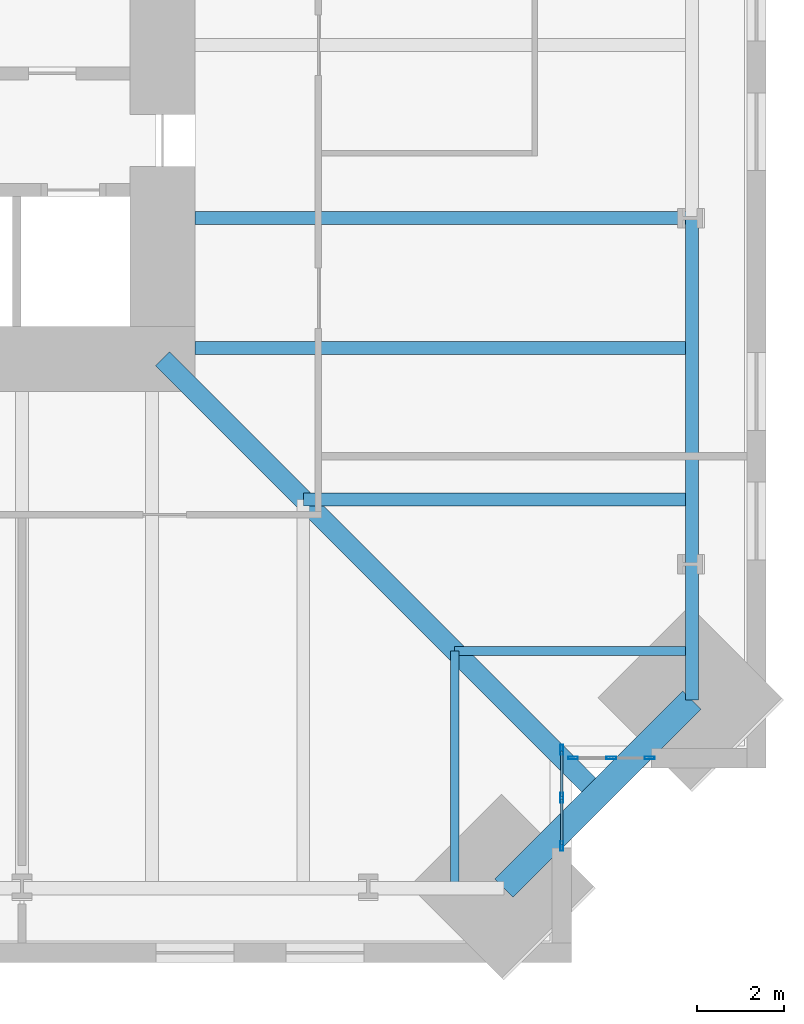
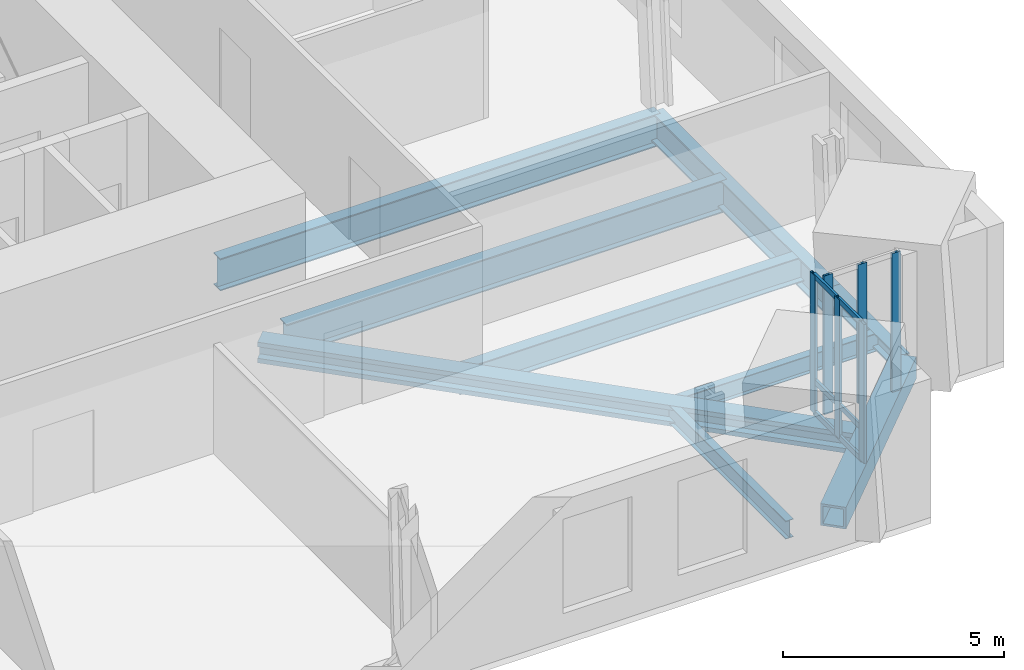
# One storey, part 4 of 15: 12 members, 9 beams, 2 elements without a shape of their own.
"""IFC4 building model written with IfcOpenShell, lengths in metres."""

from ifc_helpers import new_model, si_unit, direction, frame, origin, origin_2d, place, context, subcontext, project, spatial, hollow_rectangle, i_section, extrude, material, material_profile, profile_set, type_object, element, aggregate, save


model = new_model("IFC4")

# Units and contexts
model_context = context("Model", 3, precision=1e-05, world=origin(), true_north=direction((0.0, 1.0)))
body_context = subcontext(model_context, "Body", "Model", "MODEL_VIEW")
ifc_project = project(units=[si_unit("LENGTHUNIT", "METRE"), si_unit("AREAUNIT", "SQUARE_METRE"), si_unit("VOLUMEUNIT", "CUBIC_METRE"), si_unit("PLANEANGLEUNIT", "RADIAN"), si_unit("MASSUNIT", "GRAM", prefix="KILO")], contexts=[model_context])

# Site, building, storey
site_placement = place(None, origin())
site = spatial("IfcSite", under=ifc_project, at=site_placement, CompositionType="ELEMENT")
building_placement = place(site_placement, origin())
building = spatial("IfcBuilding", under=site, at=building_placement, Name="Peilmerk Tower", CompositionType="ELEMENT")
storey_placement = place(building_placement, frame((0.0, 0.0, 183.800048828125)))
storey = spatial("IfcBuildingStorey", under=building, at=storey_placement, Name="L39", CompositionType="ELEMENT", Elevation=183.800048828125)

# Beams
ifc_material_1 = material(Name="Steel S355", Category="steel")
ifc_material_profile_1 = material_profile(ifc_material_1, i_section(OverallWidth=0.302978515625, OverallDepth=0.81396484375, WebThickness=0.02099609375, FlangeThickness=0.0400390625, at=origin_2d()), Name="HEM 800")
ifc_profile_set_1 = profile_set([ifc_material_profile_1], Name="Steel S355")
beam_type_1 = type_object("IfcBeamType", Name="B15 HEM 800 edge beam", PredefinedType="SPANDREL", material=ifc_profile_set_1)
beam_1_placement = place(storey_placement, frame((23.485595703125, -16.0, -0.5771484375), z_axis=(0.0, 1.0, 0.0), x_axis=(-1.0, 0.0, 0.0)))
element("IfcBeam", 1, at=beam_1_placement, inside=storey, type_object=beam_type_1, Name="Edge beam L39", PredefinedType="SPANDREL", context=body_context, shape_type="SweptSolid", body=[
    extrude(i_section(OverallWidth=0.302978515625, OverallDepth=0.81396484375, WebThickness=0.02099609375, FlangeThickness=0.0400390625, at=origin_2d()), origin(), (0.0, 0.0, 1.0), 8.0),
])
ifc_material_profile_2 = material_profile(ifc_material_1, i_section(OverallWidth=0.300048828125, OverallDepth=0.68994140625, WebThickness=0.014404296875, FlangeThickness=0.027099609375, at=origin_2d()), Name="HEA 700")
ifc_profile_set_2 = profile_set([ifc_material_profile_2], Name="Steel S355")
beam_type_2 = type_object("IfcBeamType", Name="B16 HEA 700 floor beam", PredefinedType="BEAM", material=ifc_profile_set_2)
beam_2_placement = place(storey_placement, frame((14.5, -14.5, -0.51513671875), z_axis=(1.0, 0.0, 0.0), x_axis=(0.0, 1.0, 0.0)))
element("IfcBeam", 2, at=beam_2_placement, inside=storey, type_object=beam_type_2, Name="Floor beam L39", PredefinedType="BEAM", context=body_context, shape_type="SweptSolid", body=[
    extrude(i_section(OverallWidth=0.300048828125, OverallDepth=0.68994140625, WebThickness=0.014404296875, FlangeThickness=0.027099609375, at=origin_2d()), origin(), (0.0, 0.0, 1.0), 8.985595703125),
])
ifc_material_2 = material(Name="Steel S460", Category="steel")
ifc_material_profile_3 = material_profile(ifc_material_2, hollow_rectangle(XDim=0.60009765625, YDim=0.60009765625, WallThickness=0.06005859375, at=origin_2d()), Name="BOX 600x600x60")
ifc_profile_set_3 = profile_set([ifc_material_profile_3], Name="Steel S460")
beam_type_3 = type_object("IfcBeamType", Name="B20 BOX 600x600x60 notch beam", PredefinedType="SPANDREL", material=ifc_profile_set_3)
beam_3_placement = place(storey_placement, frame((23.485595703125, -19.135498046875, -0.469970703125), z_axis=(-0.707106781187, -0.707106781187, 0.0), x_axis=(0.707106781187, -0.707106781187, 0.0)))
element("IfcBeam", 3, at=beam_3_placement, inside=storey, type_object=beam_type_3, Name="Notch beam L39", PredefinedType="SPANDREL", context=body_context, shape_type="SweptSolid", body=[
    extrude(hollow_rectangle(XDim=0.60009765625, YDim=0.60009765625, WallThickness=0.06005859375, at=origin_2d()), origin(), (0.0, 0.0, 1.0), 6.15185546875),
])
ifc_material_profile_4 = material_profile(ifc_material_1, i_section(OverallWidth=0.199951171875, OverallDepth=0.5, WebThickness=0.01025390625, FlangeThickness=0.01611328125, at=origin_2d()), Name="IPE 500")
ifc_profile_set_4 = profile_set([ifc_material_profile_4], Name="Steel S355")
beam_type_4 = type_object("IfcBeamType", Name="B32 IPE 500 floor beam", PredefinedType="BEAM", material=ifc_profile_set_4)
for number, where, z_axis, x_axis, name in (
    (4, (18.0, -18.0, -0.420166015625), (0.0, -1.0, 0.0), (1.0, 0.0, 0.0), "Floor beam L39"),
    (5, (18.0, -18.0, -0.420166015625), (1.0, 0.0, 0.0), (0.0, 1.0, 0.0), "Floor beam L39"),
):
    element("IfcBeam", number, at=place(storey_placement, frame(where, z_axis=z_axis, x_axis=x_axis)), inside=storey, type_object=beam_type_4, Name=name, PredefinedType="BEAM", context=body_context, shape_type="SweptSolid", body=[
        extrude(i_section(OverallWidth=0.199951171875, OverallDepth=0.5, WebThickness=0.01025390625, FlangeThickness=0.01611328125, at=origin_2d()), origin(), (0.0, 0.0, 1.0), 5.485595703125),
    ])
ifc_material_profile_5 = material_profile(ifc_material_1, i_section(OverallWidth=0.306884765625, OverallDepth=0.431884765625, WebThickness=0.02099609375, FlangeThickness=0.0400390625, at=origin_2d()), Name="HEM 400")
ifc_profile_set_5 = profile_set([ifc_material_profile_5], Name="Steel S355")
beam_type_5 = type_object("IfcBeamType", Name="B34 HEM 400 edge beam", PredefinedType="SPANDREL", material=ifc_profile_set_5)
beam_4_placement = place(storey_placement, frame((23.485595703125, -19.135498046875, -0.385986328125), z_axis=(0.0, 1.0, 0.0), x_axis=(-1.0, 0.0, 0.0)))
element("IfcBeam", 6, at=beam_4_placement, inside=storey, type_object=beam_type_5, Name="Edge beam L39", PredefinedType="SPANDREL", context=body_context, shape_type="SweptSolid", body=[
    extrude(i_section(OverallWidth=0.306884765625, OverallDepth=0.431884765625, WebThickness=0.02099609375, FlangeThickness=0.0400390625, at=origin_2d()), origin(), (0.0, 0.0, 1.0), 3.135498046875),
])
ifc_material_profile_6 = material_profile(ifc_material_1, i_section(OverallWidth=0.300048828125, OverallDepth=0.889892578125, WebThickness=0.01611328125, FlangeThickness=0.030029296875, at=origin_2d()), Name="HEA 900")
ifc_profile_set_6 = profile_set([ifc_material_profile_6], Name="Steel S355")
beam_type_6 = type_object("IfcBeamType", Name="B4 HEA 900 floor beam", PredefinedType="BEAM", material=ifc_profile_set_6)
for number, where, z_axis, x_axis, name in (
    (7, (12.0, -11.0, -0.614990234375), (1.0, 0.0, 0.0), (0.0, 1.0, 0.0), "Floor beam L39"),
    (8, (12.0, -8.0, -0.614990234375), (1.0, 0.0, 0.0), (0.0, 1.0, 0.0), "Floor beam L39"),
):
    element("IfcBeam", number, at=place(storey_placement, frame(where, z_axis=z_axis, x_axis=x_axis)), inside=storey, type_object=beam_type_6, Name=name, PredefinedType="BEAM", context=body_context, shape_type="SweptSolid", body=[
        extrude(i_section(OverallWidth=0.300048828125, OverallDepth=0.889892578125, WebThickness=0.01611328125, FlangeThickness=0.030029296875, at=origin_2d()), origin(), (0.0, 0.0, 1.0), 11.485595703125),
    ])
ifc_material_profile_7 = material_profile(ifc_material_2, i_section(OverallWidth=0.4541015625, OverallDepth=0.569091796875, WebThickness=0.077880859375, FlangeThickness=0.125, at=origin_2d()), Name="HD 400x1086")
ifc_profile_set_7 = profile_set([ifc_material_profile_7], Name="Steel S460")
beam_type_7 = type_object("IfcBeamType", Name="B9 HD 400x1086 corner girder", PredefinedType="BEAM", material=ifc_profile_set_7)
beam_5_placement = place(storey_placement, frame((11.25, -11.25, -0.45458984375), z_axis=(0.707106781187, -0.707106781187, 0.0), x_axis=(0.707106781187, 0.707106781187, 0.0)))
element("IfcBeam", 9, at=beam_5_placement, inside=storey, type_object=beam_type_7, Name="Corner girder L39", PredefinedType="BEAM", context=body_context, shape_type="SweptSolid", body=[
    extrude(i_section(OverallWidth=0.4541015625, OverallDepth=0.569091796875, WebThickness=0.077880859375, FlangeThickness=0.125, at=origin_2d()), origin(), (0.0, 0.0, 1.0), 14.227783203125),
])

# Curtain wall, members
ifc_material_3 = material(Name="Aluminium stick curtain wall", Category="aluminium")
curtain_wall_type = type_object("IfcCurtainWallType", Name="CW3 stick curtain wall, 2250 module", PredefinedType="NOTDEFINED", material=ifc_material_3)
curtain_wall_1_placement = place(storey_placement, origin())
curtain_wall_1 = element("IfcCurtainWall", 10, at=curtain_wall_1_placement, inside=storey, type_object=curtain_wall_type, Name="Curtain wall CW3 SEA L39", PredefinedType="NOTDEFINED")
ifc_material_4 = material(Name="Aluminium EN AW-6063 T6", Category="aluminium")
ifc_material_profile_8 = material_profile(ifc_material_4, hollow_rectangle(XDim=0.06494140625, YDim=0.22509765625, WallThickness=0.00390625, at=origin_2d()), Name="AL 225x65x4")
ifc_profile_set_8 = profile_set([ifc_material_profile_8], Name="Aluminium EN AW-6063 T6")
member_type_1 = type_object("IfcMemberType", Name="CW3-M AL 225x65x4 mullion", PredefinedType="MULLION", material=ifc_profile_set_8)
member_1_placement = place(storey_placement, frame((20.47509765625, -20.282470703125, 0.0), z_axis=(0.0, 0.0, 1.0), x_axis=(1.0, 0.0, 0.0)))
member_1 = element("IfcMember", 11, at=member_1_placement, type_object=member_type_1, Name="CW3 mullion 1", PredefinedType="MULLION", context=body_context, shape_type="SweptSolid", body=[
    extrude(hollow_rectangle(XDim=0.06494140625, YDim=0.22509765625, WallThickness=0.00390625, at=origin_2d()), origin(), (0.0, 0.0, 1.0), 3.829833984375),
])
member_2_placement = place(storey_placement, frame((20.47509765625, -21.394287109375, 0.0), z_axis=(0.0, 0.0, 1.0), x_axis=(1.0, 0.0, 0.0)))
member_2 = element("IfcMember", 12, at=member_2_placement, type_object=member_type_1, Name="CW3 mullion 2", PredefinedType="MULLION", context=body_context, shape_type="SweptSolid", body=[
    extrude(hollow_rectangle(XDim=0.06494140625, YDim=0.22509765625, WallThickness=0.00390625, at=origin_2d()), origin(), (0.0, 0.0, 1.0), 3.829833984375),
])
member_3_placement = place(storey_placement, frame((20.47509765625, -22.506103515625, 0.0), z_axis=(0.0, 0.0, 1.0), x_axis=(1.0, 0.0, 0.0)))
member_3 = element("IfcMember", 13, at=member_3_placement, type_object=member_type_1, Name="CW3 mullion 3", PredefinedType="MULLION", context=body_context, shape_type="SweptSolid", body=[
    extrude(hollow_rectangle(XDim=0.06494140625, YDim=0.22509765625, WallThickness=0.00390625, at=origin_2d()), origin(), (0.0, 0.0, 1.0), 3.829833984375),
])

curtain_wall_2_placement = place(storey_placement, origin())
curtain_wall_2 = element("IfcCurtainWall", 14, at=curtain_wall_2_placement, inside=storey, type_object=curtain_wall_type, Name="Curtain wall CW3 SEB L39", PredefinedType="NOTDEFINED")
member_4_placement = place(storey_placement, frame((20.732421875, -20.47509765625, 0.0), z_axis=(0.0, 0.0, 1.0), x_axis=(0.0, 1.0, 0.0)))
member_4 = element("IfcMember", 15, at=member_4_placement, type_object=member_type_1, Name="CW3 mullion 1", PredefinedType="MULLION", context=body_context, shape_type="SweptSolid", body=[
    extrude(hollow_rectangle(XDim=0.06494140625, YDim=0.22509765625, WallThickness=0.00390625, at=origin_2d()), origin(), (0.0, 0.0, 1.0), 3.829833984375),
])
member_5_placement = place(storey_placement, frame((21.619384765625, -20.47509765625, 0.0), z_axis=(0.0, 0.0, 1.0), x_axis=(0.0, 1.0, 0.0)))
member_5 = element("IfcMember", 16, at=member_5_placement, type_object=member_type_1, Name="CW3 mullion 2", PredefinedType="MULLION", context=body_context, shape_type="SweptSolid", body=[
    extrude(hollow_rectangle(XDim=0.06494140625, YDim=0.22509765625, WallThickness=0.00390625, at=origin_2d()), origin(), (0.0, 0.0, 1.0), 3.829833984375),
])
member_6_placement = place(storey_placement, frame((22.506103515625, -20.47509765625, 0.0), z_axis=(0.0, 0.0, 1.0), x_axis=(0.0, 1.0, 0.0)))
member_6 = element("IfcMember", 17, at=member_6_placement, type_object=member_type_1, Name="CW3 mullion 3", PredefinedType="MULLION", context=body_context, shape_type="SweptSolid", body=[
    extrude(hollow_rectangle(XDim=0.06494140625, YDim=0.22509765625, WallThickness=0.00390625, at=origin_2d()), origin(), (0.0, 0.0, 1.0), 3.829833984375),
])
aggregate(curtain_wall_2, [member_4, member_5, member_6])

# Member
ifc_material_profile_9 = material_profile(ifc_material_4, hollow_rectangle(XDim=0.06494140625, YDim=0.14990234375, WallThickness=0.0029296875, at=origin_2d()), Name="AL 150x65x3")
ifc_profile_set_9 = profile_set([ifc_material_profile_9], Name="Aluminium EN AW-6063 T6")
member_type_2 = type_object("IfcMemberType", Name="CW3-T AL 150x65x3 transom", PredefinedType="USERDEFINED", material=ifc_profile_set_9)
member_7_placement = place(storey_placement, frame((20.47509765625, -20.31494140625, 0.032470703125), z_axis=(0.0, -1.0, 0.0), x_axis=(1.0, 0.0, 0.0)))
member_7 = element("IfcMember", 18, at=member_7_placement, type_object=member_type_2, Name="CW3 transom 1.1", ObjectType="TRANSOM", PredefinedType="USERDEFINED", context=body_context, shape_type="SweptSolid", body=[
    extrude(hollow_rectangle(XDim=0.06494140625, YDim=0.14990234375, WallThickness=0.0029296875, at=origin_2d()), origin(), (0.0, 0.0, 1.0), 1.046875),
])

member_8_placement = place(storey_placement, frame((20.47509765625, -20.31494140625, 0.89990234375), z_axis=(0.0, -1.0, 0.0), x_axis=(1.0, 0.0, 0.0)))
member_8 = element("IfcMember", 19, at=member_8_placement, type_object=member_type_2, Name="CW3 transom 1.2", ObjectType="TRANSOM", PredefinedType="USERDEFINED", context=body_context, shape_type="SweptSolid", body=[
    extrude(hollow_rectangle(XDim=0.06494140625, YDim=0.14990234375, WallThickness=0.0029296875, at=origin_2d()), origin(), (0.0, 0.0, 1.0), 1.046875),
])

member_9_placement = place(storey_placement, frame((20.47509765625, -20.31494140625, 3.79736328125), z_axis=(0.0, -1.0, 0.0), x_axis=(1.0, 0.0, 0.0)))
member_9 = element("IfcMember", 20, at=member_9_placement, type_object=member_type_2, Name="CW3 transom 1.3", ObjectType="TRANSOM", PredefinedType="USERDEFINED", context=body_context, shape_type="SweptSolid", body=[
    extrude(hollow_rectangle(XDim=0.06494140625, YDim=0.14990234375, WallThickness=0.0029296875, at=origin_2d()), origin(), (0.0, 0.0, 1.0), 1.046875),
])

member_10_placement = place(storey_placement, frame((20.47509765625, -21.4267578125, 0.032470703125), z_axis=(0.0, -1.0, 0.0), x_axis=(1.0, 0.0, 0.0)))
member_10 = element("IfcMember", 21, at=member_10_placement, type_object=member_type_2, Name="CW3 transom 2.1", ObjectType="TRANSOM", PredefinedType="USERDEFINED", context=body_context, shape_type="SweptSolid", body=[
    extrude(hollow_rectangle(XDim=0.06494140625, YDim=0.14990234375, WallThickness=0.0029296875, at=origin_2d()), origin(), (0.0, 0.0, 1.0), 1.046875),
])

member_11_placement = place(storey_placement, frame((20.47509765625, -21.4267578125, 0.89990234375), z_axis=(0.0, -1.0, 0.0), x_axis=(1.0, 0.0, 0.0)))
member_11 = element("IfcMember", 22, at=member_11_placement, type_object=member_type_2, Name="CW3 transom 2.2", ObjectType="TRANSOM", PredefinedType="USERDEFINED", context=body_context, shape_type="SweptSolid", body=[
    extrude(hollow_rectangle(XDim=0.06494140625, YDim=0.14990234375, WallThickness=0.0029296875, at=origin_2d()), origin(), (0.0, 0.0, 1.0), 1.046875),
])

member_12_placement = place(storey_placement, frame((20.47509765625, -21.4267578125, 3.79736328125), z_axis=(0.0, -1.0, 0.0), x_axis=(1.0, 0.0, 0.0)))
member_12 = element("IfcMember", 23, at=member_12_placement, type_object=member_type_2, Name="CW3 transom 2.3", ObjectType="TRANSOM", PredefinedType="USERDEFINED", context=body_context, shape_type="SweptSolid", body=[
    extrude(hollow_rectangle(XDim=0.06494140625, YDim=0.14990234375, WallThickness=0.0029296875, at=origin_2d()), origin(), (0.0, 0.0, 1.0), 1.046875),
])

aggregate(curtain_wall_1, [member_1, member_2, member_3, member_7, member_8, member_9, member_10, member_11, member_12])

save(model, "model.ifc")
